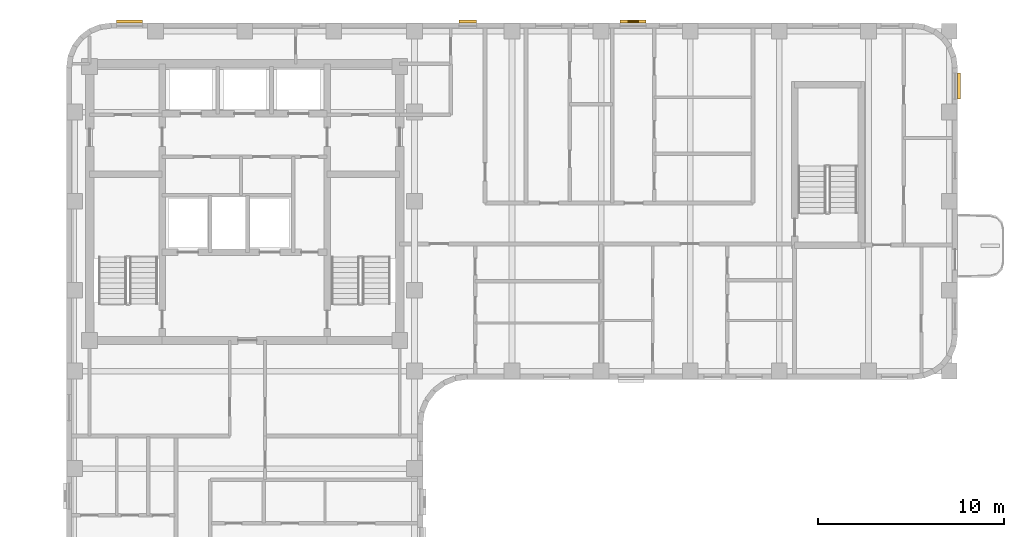
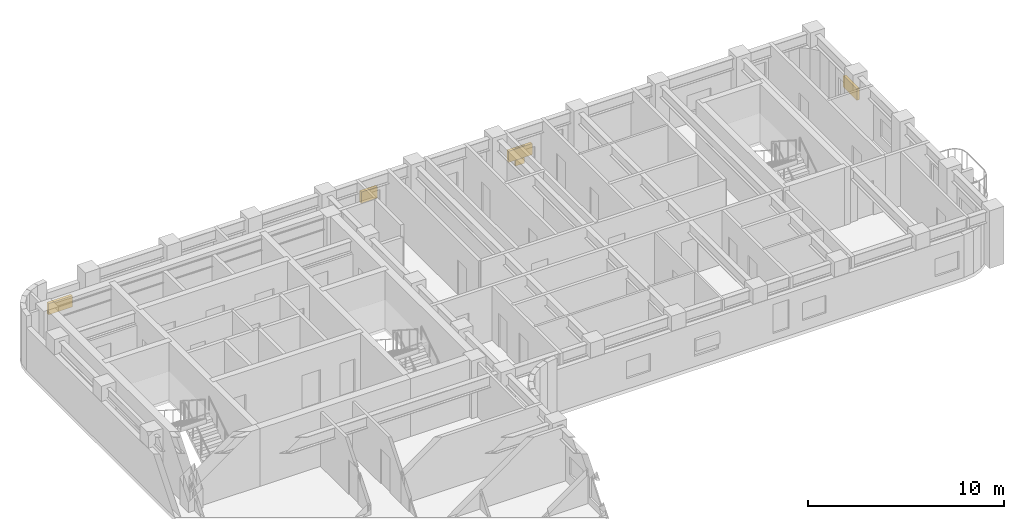
# One storey, part 10 of 10: 5 shading devices.
"""IFC4 building model written with IfcOpenShell, lengths in metres."""

from ifc_helpers import new_model, si_unit, direction, frame, origin, origin_2d, place, context, subcontext, project, spatial, rectangle, extrude, material, type_object, element, save


model = new_model("IFC4")

# Units and contexts
model_context = context("Model", 3, precision=1e-05, world=origin(), true_north=direction((0.0, 1.0)))
body_context = subcontext(model_context, "Body", "Model", "MODEL_VIEW")
ifc_project = project(units=[si_unit("LENGTHUNIT", "METRE"), si_unit("AREAUNIT", "SQUARE_METRE"), si_unit("VOLUMEUNIT", "CUBIC_METRE"), si_unit("PLANEANGLEUNIT", "RADIAN"), si_unit("MASSUNIT", "GRAM", prefix="KILO")], contexts=[model_context])

# Site, building, storey
site_placement = place(None, origin())
site = spatial("IfcSite", under=ifc_project, at=site_placement, CompositionType="ELEMENT")
building_placement = place(site_placement, origin())
building = spatial("IfcBuilding", under=site, at=building_placement, Name="Orvandelia Arch Residences", CompositionType="ELEMENT")
storey_placement = place(building_placement, frame((0.0, 0.0, 225.39990234375)))
storey = spatial("IfcBuildingStorey", under=building, at=storey_placement, Name="L59", CompositionType="ELEMENT", Elevation=225.39990234375)

# Shading devices
ifc_material_1 = material(Name="Anodised Champagne-Bronze Extruded Aluminium", Category="aluminium")
shading_device_type_1 = type_object("IfcShadingDeviceType", Name="SHD-JALOUSIE-SCREEN", PredefinedType="JALOUSIE", material=ifc_material_1)
shading_device_1_placement = place(storey_placement, frame((26.4150390625, 48.080078125, 1.55029296875), z_axis=(0.0, 0.0, 1.0), x_axis=(1.0, 0.0, 0.0)))
element("IfcShadingDevice", 1, at=shading_device_1_placement, inside=storey, type_object=shading_device_type_1, Name="Bronze Jalousie Sun-Shade L59-001", PredefinedType="JALOUSIE", context=body_context, shape_type="SweptSolid", body=[
    extrude(rectangle(XDim=0.949951171875, YDim=0.159912109375, at=origin_2d()), origin(), (0.0, 0.0, 1.0), 0.699951171875),
])
for number, where, z_axis, x_axis, name in (
    (2, (8.20751953125, 48.080078125, 1.05029296875), (0.0, 0.0, 1.0), (1.0, 0.0, 0.0), "Bronze Jalousie Sun-Shade L59-002"),
    (3, (35.330078125, 48.080078125, 1.05029296875), (0.0, 0.0, 1.0), (1.0, 0.0, 0.0), "Bronze Jalousie Sun-Shade L59-003"),
    (4, (52.8798828125, 44.592529296875, 1.05029296875), (0.0, 0.0, 1.0), (0.0, -1.0, 0.0), "Bronze Jalousie Sun-Shade L59-004"),
):
    element("IfcShadingDevice", number, at=place(storey_placement, frame(where, z_axis=z_axis, x_axis=x_axis)), inside=storey, type_object=shading_device_type_1, Name=name, PredefinedType="JALOUSIE", context=body_context, shape_type="SweptSolid", body=[
        extrude(rectangle(XDim=1.39990234375, YDim=0.159912109375, at=origin_2d()), origin(), (0.0, 0.0, 1.0), 0.699951171875),
    ])
ifc_material_2 = material(Name="Marine-Grade Perforated Aluminium Storm Shutter", Category="aluminium")
shading_device_type_2 = type_object("IfcShadingDeviceType", Name="SHD-STORM-SHUTTER", PredefinedType="SHUTTER", material=ifc_material_2)
shading_device_2_placement = place(storey_placement, frame((35.330078125, 48.080078125, 0.650146484375), z_axis=(0.0, 0.0, 1.0), x_axis=(1.0, 0.0, 0.0)))
element("IfcShadingDevice", 5, at=shading_device_2_placement, inside=storey, type_object=shading_device_type_2, Name="Operable Typhoon Storm Shutter L59-003", PredefinedType="SHUTTER", context=body_context, shape_type="SweptSolid", body=[
    extrude(rectangle(XDim=0.550048828125, YDim=0.080078125, at=origin_2d()), origin(), (0.0, 0.0, 1.0), 1.10009765625),
])

save(model, "model.ifc")
